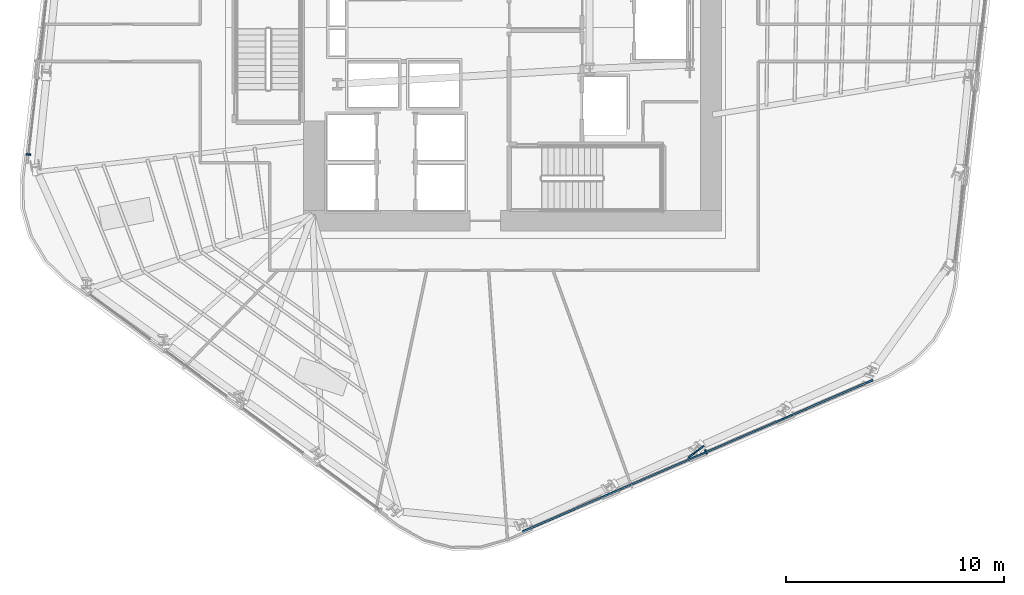
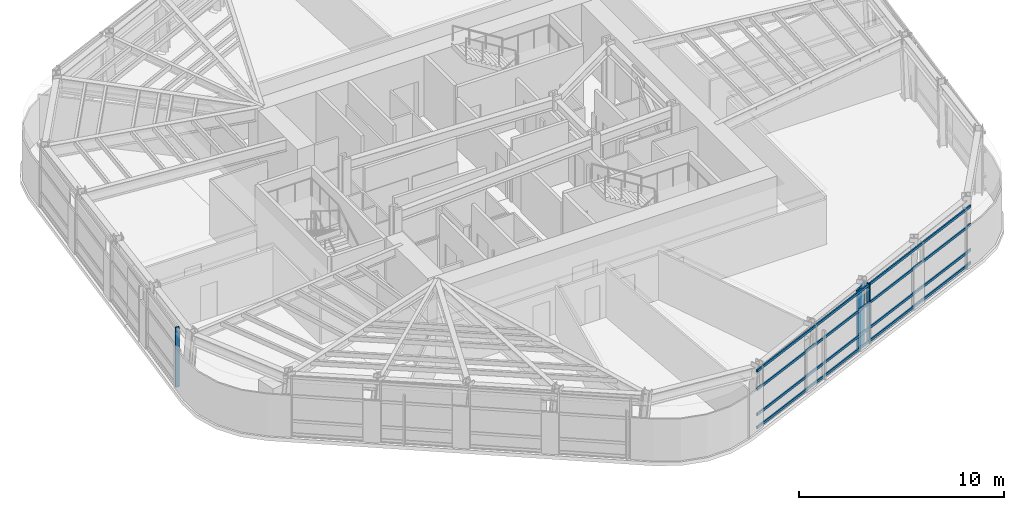
# One storey, part 3 of 16: 7 members, 2 elements without a shape of their own.
"""IFC4 building model written with IfcOpenShell, lengths in metres."""

from ifc_helpers import new_model, si_unit, direction, frame, origin, origin_2d, place, context, subcontext, project, spatial, rectangle, extrude, material, layer, layer_set, material_profile, profile_set, type_object, element, aggregate, save


model = new_model("IFC4")

# Units and contexts
model_context = context("Model", 3, precision=1e-05, world=origin(), true_north=direction((0.0, 1.0)))
body_context = subcontext(model_context, "Body", "Model", "MODEL_VIEW")
ifc_project = project(units=[si_unit("LENGTHUNIT", "METRE"), si_unit("AREAUNIT", "SQUARE_METRE"), si_unit("VOLUMEUNIT", "CUBIC_METRE"), si_unit("PLANEANGLEUNIT", "RADIAN"), si_unit("MASSUNIT", "GRAM", prefix="KILO")], contexts=[model_context])

# Site, building, storey
site_placement = place(None, origin())
site = spatial("IfcSite", under=ifc_project, at=site_placement, CompositionType="ELEMENT")
building_placement = place(site_placement, origin())
building = spatial("IfcBuilding", under=site, at=building_placement, Name="Valkerne Bourse Tower", CompositionType="ELEMENT")
storey_placement = place(building_placement, frame((0.0, 0.0, 123.800048828125)))
storey = spatial("IfcBuildingStorey", under=building, at=storey_placement, Name="L31", CompositionType="ELEMENT", Elevation=123.800048828125)

# Curtain wall, member
ifc_material_1 = material(Name="Aluminium AA 6063-T6", Category="aluminium")
ifc_layer = layer(ifc_material_1, 0.22998046875)
ifc_layer_set = layer_set([ifc_layer], Name="Aluminium AA 6063-T6")
curtain_wall_type = type_object("IfcCurtainWallType", Name="CW-02", PredefinedType="NOTDEFINED", material=ifc_layer_set)
curtain_wall_1_placement = place(storey_placement, origin())
curtain_wall_1 = element("IfcCurtainWall", 1, at=curtain_wall_1_placement, inside=storey, type_object=curtain_wall_type, Name="L31 Hexagonal Stick Curtain Wall Face 3", PredefinedType="NOTDEFINED")
ifc_material_profile_1 = material_profile(ifc_material_1, rectangle(XDim=0.074951171875, YDim=0.199951171875, at=origin_2d()), Name="CWM-75X200")
ifc_profile_set_1 = profile_set([ifc_material_profile_1], Name="Aluminium AA 6063-T6")
member_type_1 = type_object("IfcMemberType", Name="CW-MUL-220X75", PredefinedType="MULLION", material=ifc_profile_set_1)
member_1_placement = place(storey_placement, frame((24.554931640625, 21.172119140625, 0.0), z_axis=(0.0, 0.0, 1.0), x_axis=(-0.114945386711, -0.993371812603, 0.0)))
member_1 = element("IfcMember", 2, at=member_1_placement, type_object=member_type_1, Name="CW-L31-F3 Jamb Mullion 03B", PredefinedType="MULLION", context=body_context, shape_type="SweptSolid", body=[
    extrude(rectangle(XDim=0.074951171875, YDim=0.199951171875, at=origin_2d()), origin(), (0.0, 0.0, 1.0), 3.579833984375),
])
aggregate(curtain_wall_1, [member_1])

# Curtain wall, members
curtain_wall_2_placement = place(storey_placement, origin())
curtain_wall_2 = element("IfcCurtainWall", 3, at=curtain_wall_2_placement, inside=storey, type_object=curtain_wall_type, Name="L31 Hexagonal Stick Curtain Wall Face 5", PredefinedType="NOTDEFINED")
member_2_placement = place(storey_placement, frame((55.6953125, 7.50146484375, 0.0), z_axis=(0.0, 0.0, 1.0), x_axis=(0.917757491449, 0.397141268177, 0.0)))
member_2 = element("IfcMember", 4, at=member_2_placement, type_object=member_type_1, Name="CW-L31-F5 Jamb Mullion 02A", PredefinedType="MULLION", context=body_context, shape_type="SweptSolid", body=[
    extrude(rectangle(XDim=0.074951171875, YDim=0.199951171875, at=origin_2d()), origin(), (0.0, 0.0, 1.0), 3.579833984375),
])
ifc_material_profile_2 = material_profile(ifc_material_1, rectangle(XDim=0.074951171875, YDim=0.14990234375, at=origin_2d()), Name="CWT-75X150")
ifc_profile_set_2 = profile_set([ifc_material_profile_2], Name="Aluminium AA 6063-T6")
member_type_2 = type_object("IfcMemberType", Name="CW-TRN-180X65", PredefinedType="USERDEFINED", material=ifc_profile_set_2)
member_3_placement = place(storey_placement, frame((47.27294921875, 3.8349609375, 0.119873046875), z_axis=(0.917757875149, 0.397140381479, 0.0), x_axis=(-0.397140381479, 0.917757875149, 0.0)))
member_3 = element("IfcMember", 5, at=member_3_placement, type_object=member_type_2, Name="CW-L31-F5 Continuous Face Transom 1", ObjectType="TRANSOM", PredefinedType="USERDEFINED", context=body_context, shape_type="SweptSolid", body=[
    extrude(rectangle(XDim=0.074951171875, YDim=0.14990234375, at=origin_2d()), origin(), (0.0, 0.0, 1.0), 17.531982421875),
])
member_4_placement = place(storey_placement, frame((47.27294921875, 3.8349609375, 0.89990234375), z_axis=(0.917757875149, 0.397140381479, 0.0), x_axis=(-0.397140381479, 0.917757875149, 0.0)))
member_4 = element("IfcMember", 6, at=member_4_placement, type_object=member_type_2, Name="CW-L31-F5 Continuous Face Transom 2", ObjectType="TRANSOM", PredefinedType="USERDEFINED", context=body_context, shape_type="SweptSolid", body=[
    extrude(rectangle(XDim=0.074951171875, YDim=0.14990234375, at=origin_2d()), origin(), (0.0, 0.0, 1.0), 17.531982421875),
])
member_5_placement = place(storey_placement, frame((47.27294921875, 3.8349609375, 2.39990234375), z_axis=(0.917757875149, 0.397140381479, 0.0), x_axis=(-0.397140381479, 0.917757875149, 0.0)))
member_5 = element("IfcMember", 7, at=member_5_placement, type_object=member_type_2, Name="CW-L31-F5 Continuous Face Transom 3", ObjectType="TRANSOM", PredefinedType="USERDEFINED", context=body_context, shape_type="SweptSolid", body=[
    extrude(rectangle(XDim=0.074951171875, YDim=0.14990234375, at=origin_2d()), origin(), (0.0, 0.0, 1.0), 17.531982421875),
])
member_6_placement = place(storey_placement, frame((47.27294921875, 3.8349609375, 3.5), z_axis=(0.917757875149, 0.397140381479, 0.0), x_axis=(-0.397140381479, 0.917757875149, 0.0)))
member_6 = element("IfcMember", 8, at=member_6_placement, type_object=member_type_2, Name="CW-L31-F5 Continuous Face Transom 4", ObjectType="TRANSOM", PredefinedType="USERDEFINED", context=body_context, shape_type="SweptSolid", body=[
    extrude(rectangle(XDim=0.074951171875, YDim=0.14990234375, at=origin_2d()), origin(), (0.0, 0.0, 1.0), 17.531982421875),
])
aggregate(curtain_wall_2, [member_3, member_4, member_5, member_6, member_2])

# Member
ifc_material_2 = material(Name="Bronze Anodised Aluminium AA 6063-T6", Category="aluminium")
ifc_material_profile_3 = material_profile(ifc_material_2, rectangle(XDim=0.070068359375, YDim=0.89990234375, at=origin_2d()), Name="FIN-70X900")
ifc_profile_set_3 = profile_set([ifc_material_profile_3], Name="Bronze Anodised Aluminium AA 6063-T6")
member_type_3 = type_object("IfcMemberType", Name="FIN-SOLAR-900", PredefinedType="USERDEFINED", material=ifc_profile_set_3)
member_7_placement = place(storey_placement, frame((55.23828125, 7.499755859375, 0.00390625), z_axis=(0.0, 0.0, 1.0), x_axis=(0.595480190557, -0.803369991133, 0.0)))
element("IfcMember", 9, at=member_7_placement, inside=storey, type_object=member_type_3, Name="L31 Bronze Anodised Solar Fin F5-02", ObjectType="SOLAR_FIN", PredefinedType="USERDEFINED", context=body_context, shape_type="SweptSolid", body=[
    extrude(rectangle(XDim=0.070068359375, YDim=0.89990234375, at=origin_2d()), origin(), (0.0, 0.0, 1.0), 3.572021484375),
])

save(model, "model.ifc")
